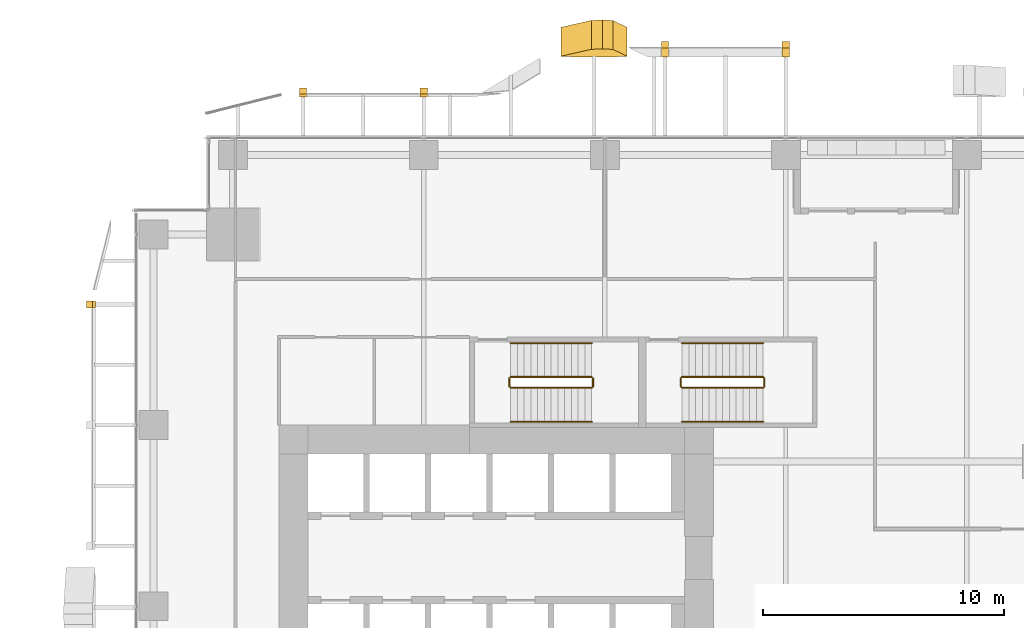
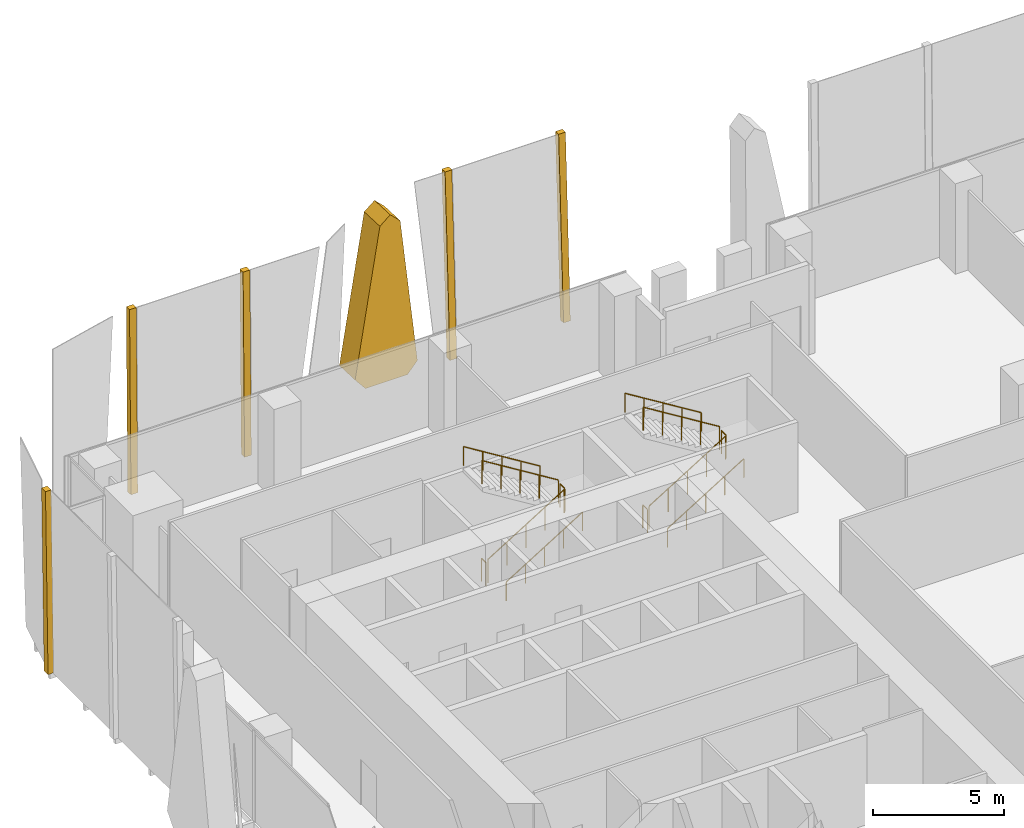
# One storey, part 33 of 35: 12 railings, 6 coverings.
"""IFC4 building model written with IfcOpenShell, lengths in metres."""

import ifcopenshell
import ifcopenshell.guid

model = None  # the IFC model being written
_history = None  # IfcOwnerHistory: only IFC2X3 demands one
_inside = {}  # id of a spatial element -> (the spatial element, [elements in it])
_under = {}  # id of a project, library or spatial element -> (it, [spatial elements below it])
_declared = {}  # id of a project -> (the project, [libraries it declares])
_typed = {}  # id of a type object -> (the type object, [elements of that type])
_made_of = {}  # id of a material, layer set ... -> (it, [elements and type objects made of it])


def new_model(schema):
    """Start an empty IFC model of exactly this schema.

    Asked for "IFC4X3", IfcOpenShell would pick the latest addendum, in which some entities
    have other attributes; the version numbers below select the first issue.
    IFC2X3 requires an IfcOwnerHistory on every rooted entity: one is made here for all.
    """
    global model, _history
    if schema == "IFC4X3":
        model = ifcopenshell.file(schema_version=(4, 3, 0, 0))
    else:
        model = ifcopenshell.file(schema=schema)
    _inside.clear()
    _under.clear()
    _declared.clear()
    _typed.clear()
    _made_of.clear()
    _history = None
    if model.schema == "IFC2X3":
        org = make("IfcOrganization", Name="unknown")
        user = make(
            "IfcPersonAndOrganization",
            ThePerson=make("IfcPerson", FamilyName="unknown"),
            TheOrganization=org,
        )
        app = make(
            "IfcApplication",
            ApplicationDeveloper=org,
            Version="unknown",
            ApplicationFullName="unknown",
            ApplicationIdentifier="unknown",
        )
        _history = make(
            "IfcOwnerHistory",
            OwningUser=user,
            OwningApplication=app,
            ChangeAction="ADDED",
            CreationDate=0,
        )
    return model


def make(cls, **values):
    """One entity of the class cls with the attributes given. An attribute that is None is left unset."""
    return model.create_entity(
        cls, **{name: value for name, value in values.items() if value is not None}
    )


def rooted(cls, **values):
    """An entity with a GlobalId (a new one), such as an element, a storey or a relation."""
    return make(cls, GlobalId=ifcopenshell.guid.new(), OwnerHistory=_history, **values)


def si_unit(unit_type, name, prefix=None):
    """IfcSIUnit, for example si_unit("LENGTHUNIT", "METRE", prefix="MILLI")."""
    return make("IfcSIUnit", UnitType=unit_type, Prefix=prefix, Name=name)


def assignment(units):
    """IfcUnitAssignment: the units of a project."""
    return None if units is None else make("IfcUnitAssignment", Units=units)


def point(xyz):
    """IfcCartesianPoint."""
    return None if xyz is None else make("IfcCartesianPoint", Coordinates=xyz)


def direction(xyz):
    """IfcDirection."""
    return None if xyz is None else make("IfcDirection", DirectionRatios=xyz)


def frame(location, z_axis=None, x_axis=None):
    """IfcAxis2Placement3D, a coordinate frame: its origin and axes. An axis left out is left unset."""
    return make(
        "IfcAxis2Placement3D",
        Location=point(location),
        Axis=direction(z_axis),
        RefDirection=direction(x_axis),
    )


def frame_2d(location, x_axis=None):
    """IfcAxis2Placement2D, a coordinate frame in the plane: its origin and x axis."""
    return make(
        "IfcAxis2Placement2D", Location=point(location), RefDirection=direction(x_axis)
    )


def origin():
    """The frame at (0, 0, 0) with its axes left unset."""
    return frame((0.0, 0.0, 0.0))


def origin_2d():
    """The frame at (0, 0) in the plane with its x axis left unset."""
    return frame_2d((0.0, 0.0))


def place(relative_to, where):
    """IfcLocalPlacement: puts the frame where relative to a parent placement (None: the world)."""
    return make(
        "IfcLocalPlacement", PlacementRelTo=relative_to, RelativePlacement=where
    )


def context(
    kind, dimensions, precision=None, world=None, true_north=None, identifier=None
):
    """IfcGeometricRepresentationContext, for example the 3D "Model" context."""
    return make(
        "IfcGeometricRepresentationContext",
        ContextIdentifier=identifier,
        ContextType=kind,
        CoordinateSpaceDimension=dimensions,
        Precision=precision,
        WorldCoordinateSystem=world,
        TrueNorth=true_north,
    )


def subcontext(parent, identifier, kind, view, scale=None):
    """IfcGeometricRepresentationSubContext, for example "Body" below "Model"."""
    return make(
        "IfcGeometricRepresentationSubContext",
        ContextIdentifier=identifier,
        ContextType=kind,
        ParentContext=parent,
        TargetScale=scale,
        TargetView=view,
    )


def project(units=None, contexts=None):
    """IfcProject with its units and contexts."""
    return rooted(
        "IfcProject",
        Name="project",
        RepresentationContexts=contexts,
        UnitsInContext=assignment(units),
    )


def spatial(cls, under=None, at=None, **own):
    """A site, building, storey or space (cls), placed at a placement, below another one or the project."""
    s = rooted(cls, ObjectPlacement=at, **own)
    if under is not None:
        _under.setdefault(under.id(), (under, []))[1].append(s)
    return s


def polyline(points):
    """IfcPolyline through the points."""
    return make("IfcPolyline", Points=[point(p) for p in points])


def profile(cls, at=None, kind="AREA", **sizes):
    """A parametric profile (cls). Its sizes go by their IFC names, for example OverallWidth=200.0."""
    return make(cls, ProfileType=kind, Position=at, **sizes)


def circle(**sizes):
    """IfcCircleProfileDef."""
    return profile("IfcCircleProfileDef", **sizes)


def outline(outer, holes=None, kind="AREA"):
    """IfcArbitraryClosedProfileDef: a profile drawn as a closed curve; with holes, ...WithVoids."""
    if holes is None:
        return make("IfcArbitraryClosedProfileDef", ProfileType=kind, OuterCurve=outer)
    return make(
        "IfcArbitraryProfileDefWithVoids",
        ProfileType=kind,
        OuterCurve=outer,
        InnerCurves=holes,
    )


def extrude(swept, where, along, depth):
    """IfcExtrudedAreaSolid: the profile swept, set in the frame where, extruded along a direction by depth."""
    return make(
        "IfcExtrudedAreaSolid",
        SweptArea=swept,
        Position=where,
        ExtrudedDirection=direction(along),
        Depth=depth,
    )


def shape(context_of_items, identifier, shape_type, items):
    """IfcShapeRepresentation: the items that make up one representation, for example the "Body"."""
    return make(
        "IfcShapeRepresentation",
        ContextOfItems=context_of_items,
        RepresentationIdentifier=identifier,
        RepresentationType=shape_type,
        Items=items,
    )


def source(mapping_origin, context_of_items, identifier, shape_type, items):
    """IfcRepresentationMap: a shape defined once, which mapped items show again and again."""
    return make(
        "IfcRepresentationMap",
        MappingOrigin=mapping_origin,
        MappedRepresentation=shape(context_of_items, identifier, shape_type, items),
    )


def transform(
    local_origin,
    x_axis=None,
    y_axis=None,
    z_axis=None,
    scale=None,
    scale2=None,
    scale3=None,
    uniform=True,
):
    """IfcCartesianTransformationOperator3D, or its non-uniform kind. x_axis, y_axis, z_axis: its Axis1, 2, 3."""
    if uniform:
        return make(
            "IfcCartesianTransformationOperator3D",
            Axis1=direction(x_axis),
            Axis2=direction(y_axis),
            LocalOrigin=point(local_origin),
            Scale=scale,
            Axis3=direction(z_axis),
        )
    return make(
        "IfcCartesianTransformationOperator3DnonUniform",
        Axis1=direction(x_axis),
        Axis2=direction(y_axis),
        LocalOrigin=point(local_origin),
        Scale=scale,
        Axis3=direction(z_axis),
        Scale2=scale2,
        Scale3=scale3,
    )


def mapped(mapping_source, mapping_target):
    """IfcMappedItem: shows the shape of a source again, moved by a transform."""
    return make(
        "IfcMappedItem", MappingSource=mapping_source, MappingTarget=mapping_target
    )


def material(Name=None, Category=None):
    """IfcMaterial."""
    return make("IfcMaterial", Name=Name, Category=Category)


def layer(
    of_material, thickness, ventilated=None, Name=None, Category=None, Priority=None
):
    """IfcMaterialLayer: one layer of a wall or slab, of a material (None: an air gap)."""
    return make(
        "IfcMaterialLayer",
        Material=of_material,
        LayerThickness=thickness,
        IsVentilated=ventilated,
        Name=Name,
        Category=Category,
        Priority=Priority,
    )


def layer_set(layers, Name=None):
    """IfcMaterialLayerSet."""
    return make("IfcMaterialLayerSet", MaterialLayers=layers, LayerSetName=Name)


def made_of(thing, what):
    """Note that an element or type object is made of a material, layer set ...; save() writes the relation."""
    if what is not None:
        _made_of.setdefault(what.id(), (what, []))[1].append(thing)
    return thing


def type_object(cls, material=None, **own):
    """A type object (cls), such as IfcWallType, which elements share."""
    return made_of(rooted(cls, **own), material)


def element(
    cls,
    number,
    at=None,
    inside=None,
    cuts=None,
    type_object=None,
    material=None,
    context=None,
    identifier="Body",
    shape_type=None,
    held_by="IfcProductDefinitionShape",
    body=None,
    shapes=None,
    **own,
):
    """One element of the class cls, such as IfcWall. Its Tag is "e" and its number.

    at: its placement. inside: the storey or other place that contains it. cuts: it is an
    opening in that element (IfcRelVoidsElement). A single representation is given by context,
    identifier, shape_type and body (its items); several are given by shapes. held_by: the class
    of the entity that holds the representations. save() writes the other relations.
    """
    e = rooted(cls, Tag="e%d" % number, ObjectPlacement=at, **own)
    if body is not None:
        shapes = [shape(context, identifier, shape_type, body)]
    if shapes is not None:
        e.Representation = make(held_by, Representations=shapes)
    if inside is not None:
        _inside.setdefault(inside.id(), (inside, []))[1].append(e)
    if cuts is not None:
        rooted(
            "IfcRelVoidsElement", RelatingBuildingElement=cuts, RelatedOpeningElement=e
        )
    if type_object is not None:
        _typed.setdefault(type_object.id(), (type_object, []))[1].append(e)
    return made_of(e, material)


def aggregate(whole, parts):
    """IfcRelAggregates: a whole, such as a stair, and the parts it consists of."""
    return rooted("IfcRelAggregates", RelatingObject=whole, RelatedObjects=parts)


def save(model, path):
    """Write the relations noted so far, then the file.

    IfcRelAggregates (storeys below a building ...), IfcRelContainedInSpatialStructure (elements
    in a storey), IfcRelDefinesByType, IfcRelAssociatesMaterial and IfcRelDeclares: one each for
    every whole, place, type object, material and project.
    """
    for whole, parts in _under.values():
        aggregate(whole, parts)
    for where, things in _inside.values():
        rooted(
            "IfcRelContainedInSpatialStructure",
            RelatedElements=things,
            RelatingStructure=where,
        )
    for kind, things in _typed.values():
        rooted("IfcRelDefinesByType", RelatedObjects=things, RelatingType=kind)
    for what, things in _made_of.values():
        rooted("IfcRelAssociatesMaterial", RelatedObjects=things, RelatingMaterial=what)
    for by, libraries in _declared.values():
        rooted("IfcRelDeclares", RelatingContext=by, RelatedDefinitions=libraries)
    model.write(path)


model = new_model("IFC4")

# Units and contexts
model_context = context("Model", 3, precision=1e-05, world=origin(), true_north=direction((0.0, 1.0)))
body_context = subcontext(model_context, "Body", "Model", "MODEL_VIEW")
ifc_project = project(units=[si_unit("LENGTHUNIT", "METRE"), si_unit("AREAUNIT", "SQUARE_METRE"), si_unit("VOLUMEUNIT", "CUBIC_METRE"), si_unit("PLANEANGLEUNIT", "RADIAN"), si_unit("MASSUNIT", "GRAM", prefix="KILO")], contexts=[model_context])

# Site, building, storey
site_placement = place(None, origin())
site = spatial("IfcSite", under=ifc_project, at=site_placement, CompositionType="ELEMENT")
building_placement = place(site_placement, origin())
building = spatial("IfcBuilding", under=site, at=building_placement, Name="Khomas Fold Tower", CompositionType="ELEMENT")
storey_placement = place(building_placement, frame((0.0, 0.0, 87.0)))
storey = spatial("IfcBuildingStorey", under=building, at=storey_placement, Name="L18", CompositionType="ELEMENT", Elevation=87.0)

# Coverings
ifc_material_1 = material(Name="Natural stone cladding", Category="masonry")
ifc_layer_1 = layer(ifc_material_1, 0.25)
ifc_layer_set_1 = layer_set([ifc_layer_1], Name="Natural stone cladding")
covering_type_1 = type_object("IfcCoveringType", Name="SK-Karibib marble stone mullion", PredefinedType="CLADDING", material=ifc_layer_set_1)
for number, where, z_axis, x_axis, name in (
    (1, (6.85009765625, 55.609375, 0.0), (0.0, -0.999913371991, 0.013162390123), (0.0, 0.013162390123, 0.999913371991), "OUTER SKIN mullion L18 NM099-2"),
    (2, (11.85009765625, 55.609375, 0.0), (0.0, -0.999913371991, 0.013162390123), (0.0, 0.013162390123, 0.999913371991), "OUTER SKIN mullion L18 NM100-4"),
):
    element("IfcCovering", number, at=place(storey_placement, frame(where, z_axis=z_axis, x_axis=x_axis)), inside=storey, type_object=covering_type_1, Name=name, PredefinedType="CLADDING", context=body_context, shape_type="SweptSolid", body=[
        extrude(outline(polyline([(0.0, 0.0), (8.550789566001143, 0.0), (8.550789566001143, -0.2998046875), (0.0, -0.2998046875), (0.0, 0.0)])), origin(), (0.0, 0.0, -1.0), 0.25),
    ])
for number, where, z_axis, x_axis, name in (
    (3, (21.85009765625, 57.264892578125, 0.0), (0.0, -0.999042057933, 0.043760329998), (0.0, 0.043760329998, 0.999042057933), "OUTER SKIN mullion L18 NM102-8"),
    (4, (26.85009765625, 57.264892578125, 0.0), (0.0, -0.999042057933, 0.043760329998), (0.0, 0.043760329998, 0.999042057933), "OUTER SKIN mullion L18 NM103-10"),
):
    element("IfcCovering", number, at=place(storey_placement, frame(where, z_axis=z_axis, x_axis=x_axis)), inside=storey, type_object=covering_type_1, Name=name, PredefinedType="CLADDING", context=body_context, shape_type="SweptSolid", body=[
        extrude(outline(polyline([(0.0, 0.0), (8.558247133075952, 0.0), (8.558247133075952, -0.2998046875), (0.0, -0.2998046875), (0.0, 0.0)])), origin(), (0.0, 0.0, -1.0), 0.25),
    ])
covering_1_placement = place(storey_placement, frame((-1.721923828125, 47.14990234375, 8.550048828125), z_axis=(0.999913371991, 0.0, 0.013162390123), x_axis=(0.013162390123, 0.0, -0.999913371991)))
element("IfcCovering", 5, at=covering_1_placement, inside=storey, type_object=covering_type_1, Name="OUTER SKIN mullion L18 WM107-14", PredefinedType="CLADDING", context=body_context, shape_type="SweptSolid", body=[
    extrude(outline(polyline([(0.0, 0.0), (8.550789566001143, 0.0), (8.550789566001143, -0.2998046875), (0.0, -0.2998046875), (0.0, 0.0)])), origin(), (0.0, 0.0, -1.0), 0.25),
])
ifc_material_2 = material(Name="Natural stone cladding", Category="masonry")
ifc_layer_2 = layer(ifc_material_2, 1.199951171875)
ifc_layer_set_2 = layer_set([ifc_layer_2], Name="Natural stone cladding")
covering_type_2 = type_object("IfcCoveringType", Name="SK-Karibib marble stone panel", PredefinedType="CLADDING", material=ifc_layer_set_2)
covering_2_placement = place(storey_placement, frame((19.406982421875, 57.591064453125, 7.44384765625), z_axis=(-9.119843e-06, -0.999042061604, 0.043760245241), x_axis=(0.721099169903, -0.030325062146, -0.692167882649)))
element("IfcCovering", 6, at=covering_2_placement, inside=storey, type_object=covering_type_2, Name="OUTER SKIN leaf L18 NS05-1", PredefinedType="CLADDING", context=body_context, shape_type="SweptSolid", body=[
    extrude(outline(polyline([(0.0, 0.0), (0.5904614361485251, -1.1102230246251565e-16), (5.557856812892439, -4.3116638978026725), (5.5749437205225, -4.976419040640557), (4.23978353874942, -6.259240532559363), (3.5501740332867966, -6.179304383811143), (-0.08188511208201099, -0.584649845686194), (0.0, 0.0)])), origin(), (0.0, 0.0, -1.0), 1.199951171875),
])

# Railings
ifc_material_3 = material(Name="Steel balustrade", Category="steel")
railing_type_1 = type_object("IfcRailingType", Name="Stair guard", PredefinedType="GUARDRAIL", material=ifc_material_3)
shared_shape_1 = source(origin(), body_context, "Body", "SweptSolid", [
    extrude(circle(Radius=0.02392578125, at=origin_2d()), frame((0.0, 0.0, 1.076171875), z_axis=(0.850606129759, 0.0, 0.525803396734), x_axis=(0.0, 1.0, 0.0)), (0.0, 0.0, 1.0), 3.949951171875),
    extrude(circle(Radius=0.02099609375, at=origin_2d()), origin(), (0.0, 0.0, 1.0), 1.052001953125),
    extrude(circle(Radius=0.02099609375, at=origin_2d()), frame((0.83984375, 0.0, 0.519287109375)), (0.0, 0.0, 1.0), 1.052001953125),
    extrude(circle(Radius=0.02099609375, at=origin_2d()), frame((1.679931640625, 0.0, 1.03857421875)), (0.0, 0.0, 1.0), 1.052001953125),
    extrude(circle(Radius=0.02099609375, at=origin_2d()), frame((2.52001953125, 0.0, 1.5576171875)), (0.0, 0.0, 1.0), 1.052001953125),
    extrude(circle(Radius=0.02099609375, at=origin_2d()), frame((3.35986328125, 0.0, 2.076904296875)), (0.0, 0.0, 1.0), 1.052001953125),
])
railing_1_placement = place(storey_placement, frame((15.60009765625, 43.550048828125, 0.173095703125)))
element("IfcRailing", 7, at=railing_1_placement, inside=storey, type_object=railing_type_1, Name="L18 ST1 stair guard 1", PredefinedType="GUARDRAIL", context=body_context, shape_type="MappedRepresentation", body=[
    mapped(shared_shape_1, transform((0.0, 0.0, 0.0))),
])
shared_shape_2 = source(origin(), body_context, "Body", "SweptSolid", [
    extrude(circle(Radius=0.02392578125, at=origin_2d()), frame((0.0, 0.0, 1.076171875), z_axis=(0.0, 1.0, 0.0), x_axis=(-1.0, 0.0, 0.0)), (0.0, 0.0, 1.0), 0.349853515625),
    extrude(circle(Radius=0.02099609375, at=origin_2d()), origin(), (0.0, 0.0, 1.0), 1.052001953125),
    extrude(circle(Radius=0.02099609375, at=origin_2d()), frame((0.0, 0.349853515625, 0.0)), (0.0, 0.0, 1.0), 1.052001953125),
])
for number, where, name in (
    (8, (19.010009765625, 43.60009765625, 2.25), "L18 ST1 stair guard 2"),
    (9, (15.550048828125, 43.60009765625, 0.0), "L18 ST1 stair guard 4"),
    (10, (26.110107421875, 43.60009765625, 2.25), "L18 ST3 stair guard 2"),
    (11, (22.64990234375, 43.60009765625, 0.0), "L18 ST3 stair guard 4"),
):
    element("IfcRailing", number, at=place(storey_placement, frame(where)), inside=storey, type_object=railing_type_1, Name=name, PredefinedType="GUARDRAIL", context=body_context, shape_type="MappedRepresentation", body=[
        mapped(shared_shape_2, transform((0.0, 0.0, 0.0))),
    ])
shared_shape_3 = source(origin(), body_context, "Body", "SweptSolid", [
    extrude(circle(Radius=0.02392578125, at=origin_2d()), frame((0.0, 0.0, 1.076171875), z_axis=(-0.850606129759, 0.0, 0.525803396734), x_axis=(0.0, -1.0, 0.0)), (0.0, 0.0, 1.0), 3.949951171875),
    extrude(circle(Radius=0.02099609375, at=origin_2d()), origin(), (0.0, 0.0, 1.0), 1.052001953125),
    extrude(circle(Radius=0.02099609375, at=origin_2d()), frame((-0.83984375, 0.0, 0.519287109375)), (0.0, 0.0, 1.0), 1.052001953125),
    extrude(circle(Radius=0.02099609375, at=origin_2d()), frame((-1.679931640625, 0.0, 1.03857421875)), (0.0, 0.0, 1.0), 1.052001953125),
    extrude(circle(Radius=0.02099609375, at=origin_2d()), frame((-2.52001953125, 0.0, 1.5576171875)), (0.0, 0.0, 1.0), 1.052001953125),
    extrude(circle(Radius=0.02099609375, at=origin_2d()), frame((-3.35986328125, 0.0, 2.076904296875)), (0.0, 0.0, 1.0), 1.052001953125),
])
railing_2_placement = place(storey_placement, frame((18.9599609375, 44.0, 2.423095703125)))
element("IfcRailing", 12, at=railing_2_placement, inside=storey, type_object=railing_type_1, Name="L18 ST1 stair guard 3", PredefinedType="GUARDRAIL", context=body_context, shape_type="MappedRepresentation", body=[
    mapped(shared_shape_3, transform((0.0, 0.0, 0.0))),
])
ifc_material_4 = material(Name="Steel handrail", Category="steel")
railing_type_2 = type_object("IfcRailingType", Name="Stair handrail", PredefinedType="HANDRAIL", material=ifc_material_4)
shared_shape_4 = source(origin(), body_context, "Body", "SweptSolid", [
    extrude(circle(Radius=0.02392578125, at=origin_2d()), frame((0.0, 0.0, 0.8759765625), z_axis=(0.850606129759, 0.0, 0.525803396734), x_axis=(0.0, 1.0, 0.0)), (0.0, 0.0, 1.0), 3.949951171875),
    extrude(circle(Radius=0.02099609375, at=origin_2d()), origin(), (0.0, 0.0, 1.0), 0.851806640625),
    extrude(circle(Radius=0.02099609375, at=origin_2d()), frame((0.83984375, 0.0, 0.519287109375)), (0.0, 0.0, 1.0), 0.851806640625),
    extrude(circle(Radius=0.02099609375, at=origin_2d()), frame((1.679931640625, 0.0, 1.03857421875)), (0.0, 0.0, 1.0), 0.851806640625),
    extrude(circle(Radius=0.02099609375, at=origin_2d()), frame((2.52001953125, 0.0, 1.5576171875)), (0.0, 0.0, 1.0), 0.851806640625),
    extrude(circle(Radius=0.02099609375, at=origin_2d()), frame((3.35986328125, 0.0, 2.076904296875)), (0.0, 0.0, 1.0), 0.851806640625),
])
railing_3_placement = place(storey_placement, frame((15.60009765625, 42.14990234375, 0.173095703125)))
element("IfcRailing", 13, at=railing_3_placement, inside=storey, type_object=railing_type_2, Name="L18 ST1 stair handrail 1", PredefinedType="HANDRAIL", context=body_context, shape_type="MappedRepresentation", body=[
    mapped(shared_shape_4, transform((0.0, 0.0, 0.0))),
])
shared_shape_5 = source(origin(), body_context, "Body", "SweptSolid", [
    extrude(circle(Radius=0.02392578125, at=origin_2d()), frame((0.0, 0.0, 0.8759765625), z_axis=(-0.850606129759, 0.0, 0.525803396734), x_axis=(0.0, -1.0, 0.0)), (0.0, 0.0, 1.0), 3.949951171875),
    extrude(circle(Radius=0.02099609375, at=origin_2d()), origin(), (0.0, 0.0, 1.0), 0.851806640625),
    extrude(circle(Radius=0.02099609375, at=origin_2d()), frame((-0.83984375, 0.0, 0.519287109375)), (0.0, 0.0, 1.0), 0.851806640625),
    extrude(circle(Radius=0.02099609375, at=origin_2d()), frame((-1.679931640625, 0.0, 1.03857421875)), (0.0, 0.0, 1.0), 0.851806640625),
    extrude(circle(Radius=0.02099609375, at=origin_2d()), frame((-2.52001953125, 0.0, 1.5576171875)), (0.0, 0.0, 1.0), 0.851806640625),
    extrude(circle(Radius=0.02099609375, at=origin_2d()), frame((-3.35986328125, 0.0, 2.076904296875)), (0.0, 0.0, 1.0), 0.851806640625),
])
railing_4_placement = place(storey_placement, frame((18.9599609375, 45.39990234375, 2.423095703125)))
element("IfcRailing", 14, at=railing_4_placement, inside=storey, type_object=railing_type_2, Name="L18 ST1 stair handrail 2", PredefinedType="HANDRAIL", context=body_context, shape_type="MappedRepresentation", body=[
    mapped(shared_shape_5, transform((0.0, 0.0, 0.0))),
])
shared_shape_6 = source(origin(), body_context, "Body", "SweptSolid", [
    extrude(circle(Radius=0.02392578125, at=origin_2d()), frame((0.0, 0.0, 1.076171875), z_axis=(0.850623216509, 0.0, 0.525775754039), x_axis=(0.0, 1.0, 0.0)), (0.0, 0.0, 1.0), 3.9501953125),
    extrude(circle(Radius=0.02099609375, at=origin_2d()), origin(), (0.0, 0.0, 1.0), 1.052001953125),
    extrude(circle(Radius=0.02099609375, at=origin_2d()), frame((0.840087890625, 0.0, 0.519287109375)), (0.0, 0.0, 1.0), 1.052001953125),
    extrude(circle(Radius=0.02099609375, at=origin_2d()), frame((1.68017578125, 0.0, 1.03857421875)), (0.0, 0.0, 1.0), 1.052001953125),
    extrude(circle(Radius=0.02099609375, at=origin_2d()), frame((2.52001953125, 0.0, 1.5576171875)), (0.0, 0.0, 1.0), 1.052001953125),
    extrude(circle(Radius=0.02099609375, at=origin_2d()), frame((3.360107421875, 0.0, 2.076904296875)), (0.0, 0.0, 1.0), 1.052001953125),
])
railing_5_placement = place(storey_placement, frame((22.699951171875, 43.550048828125, 0.173095703125)))
element("IfcRailing", 15, at=railing_5_placement, inside=storey, type_object=railing_type_1, Name="L18 ST3 stair guard 1", PredefinedType="GUARDRAIL", context=body_context, shape_type="MappedRepresentation", body=[
    mapped(shared_shape_6, transform((0.0, 0.0, 0.0))),
])
shared_shape_7 = source(origin(), body_context, "Body", "SweptSolid", [
    extrude(circle(Radius=0.02392578125, at=origin_2d()), frame((0.0, 0.0, 1.076171875), z_axis=(-0.850623216509, 0.0, 0.525775754039), x_axis=(0.0, -1.0, 0.0)), (0.0, 0.0, 1.0), 3.9501953125),
    extrude(circle(Radius=0.02099609375, at=origin_2d()), origin(), (0.0, 0.0, 1.0), 1.052001953125),
    extrude(circle(Radius=0.02099609375, at=origin_2d()), frame((-0.840087890625, 0.0, 0.519287109375)), (0.0, 0.0, 1.0), 1.052001953125),
    extrude(circle(Radius=0.02099609375, at=origin_2d()), frame((-1.68017578125, 0.0, 1.03857421875)), (0.0, 0.0, 1.0), 1.052001953125),
    extrude(circle(Radius=0.02099609375, at=origin_2d()), frame((-2.52001953125, 0.0, 1.5576171875)), (0.0, 0.0, 1.0), 1.052001953125),
    extrude(circle(Radius=0.02099609375, at=origin_2d()), frame((-3.360107421875, 0.0, 2.076904296875)), (0.0, 0.0, 1.0), 1.052001953125),
])
railing_6_placement = place(storey_placement, frame((26.06005859375, 44.0, 2.423095703125)))
element("IfcRailing", 16, at=railing_6_placement, inside=storey, type_object=railing_type_1, Name="L18 ST3 stair guard 3", PredefinedType="GUARDRAIL", context=body_context, shape_type="MappedRepresentation", body=[
    mapped(shared_shape_7, transform((0.0, 0.0, 0.0))),
])
shared_shape_8 = source(origin(), body_context, "Body", "SweptSolid", [
    extrude(circle(Radius=0.02392578125, at=origin_2d()), frame((0.0, 0.0, 0.8759765625), z_axis=(0.850623216509, 0.0, 0.525775754039), x_axis=(0.0, 1.0, 0.0)), (0.0, 0.0, 1.0), 3.9501953125),
    extrude(circle(Radius=0.02099609375, at=origin_2d()), origin(), (0.0, 0.0, 1.0), 0.851806640625),
    extrude(circle(Radius=0.02099609375, at=origin_2d()), frame((0.840087890625, 0.0, 0.519287109375)), (0.0, 0.0, 1.0), 0.851806640625),
    extrude(circle(Radius=0.02099609375, at=origin_2d()), frame((1.68017578125, 0.0, 1.03857421875)), (0.0, 0.0, 1.0), 0.851806640625),
    extrude(circle(Radius=0.02099609375, at=origin_2d()), frame((2.52001953125, 0.0, 1.5576171875)), (0.0, 0.0, 1.0), 0.851806640625),
    extrude(circle(Radius=0.02099609375, at=origin_2d()), frame((3.360107421875, 0.0, 2.076904296875)), (0.0, 0.0, 1.0), 0.851806640625),
])
railing_7_placement = place(storey_placement, frame((22.699951171875, 42.14990234375, 0.173095703125)))
element("IfcRailing", 17, at=railing_7_placement, inside=storey, type_object=railing_type_2, Name="L18 ST3 stair handrail 1", PredefinedType="HANDRAIL", context=body_context, shape_type="MappedRepresentation", body=[
    mapped(shared_shape_8, transform((0.0, 0.0, 0.0))),
])
shared_shape_9 = source(origin(), body_context, "Body", "SweptSolid", [
    extrude(circle(Radius=0.02392578125, at=origin_2d()), frame((0.0, 0.0, 0.8759765625), z_axis=(-0.850623216509, 0.0, 0.525775754039), x_axis=(0.0, -1.0, 0.0)), (0.0, 0.0, 1.0), 3.9501953125),
    extrude(circle(Radius=0.02099609375, at=origin_2d()), origin(), (0.0, 0.0, 1.0), 0.851806640625),
    extrude(circle(Radius=0.02099609375, at=origin_2d()), frame((-0.840087890625, 0.0, 0.519287109375)), (0.0, 0.0, 1.0), 0.851806640625),
    extrude(circle(Radius=0.02099609375, at=origin_2d()), frame((-1.68017578125, 0.0, 1.03857421875)), (0.0, 0.0, 1.0), 0.851806640625),
    extrude(circle(Radius=0.02099609375, at=origin_2d()), frame((-2.52001953125, 0.0, 1.5576171875)), (0.0, 0.0, 1.0), 0.851806640625),
    extrude(circle(Radius=0.02099609375, at=origin_2d()), frame((-3.360107421875, 0.0, 2.076904296875)), (0.0, 0.0, 1.0), 0.851806640625),
])
railing_8_placement = place(storey_placement, frame((26.06005859375, 45.39990234375, 2.423095703125)))
element("IfcRailing", 18, at=railing_8_placement, inside=storey, type_object=railing_type_2, Name="L18 ST3 stair handrail 2", PredefinedType="HANDRAIL", context=body_context, shape_type="MappedRepresentation", body=[
    mapped(shared_shape_9, transform((0.0, 0.0, 0.0))),
])

save(model, "model.ifc")
